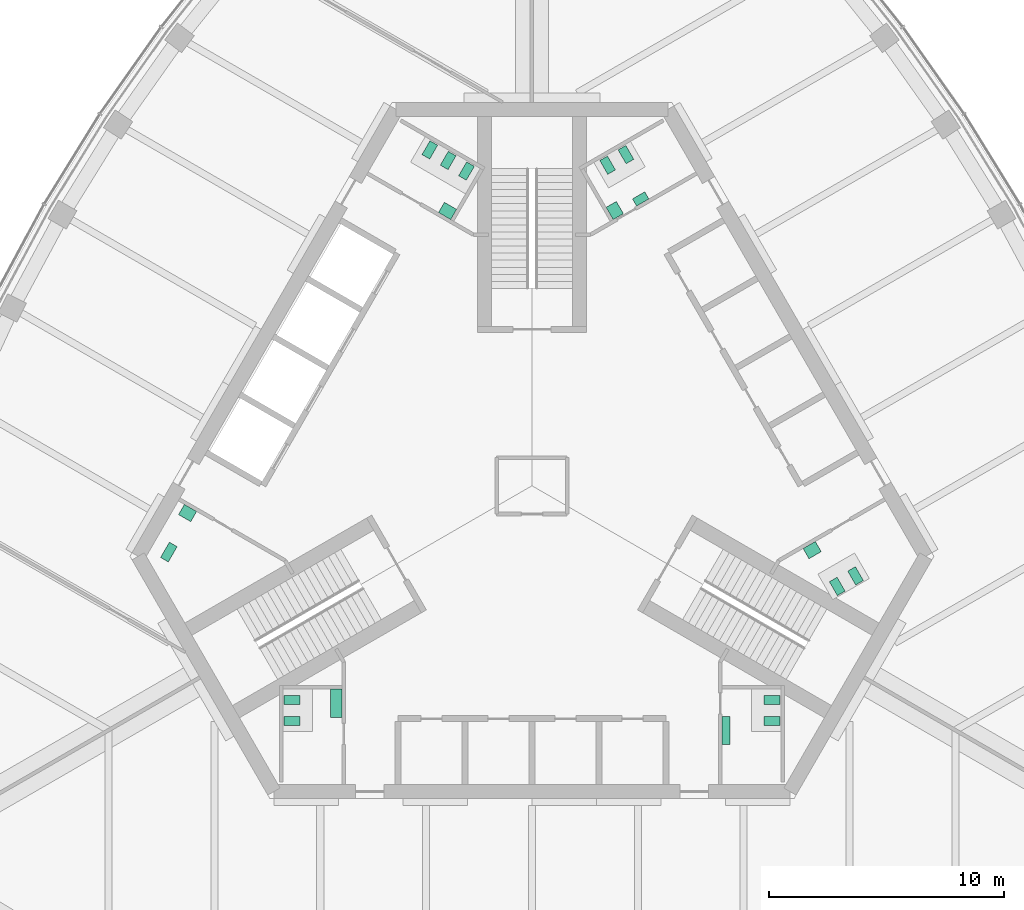
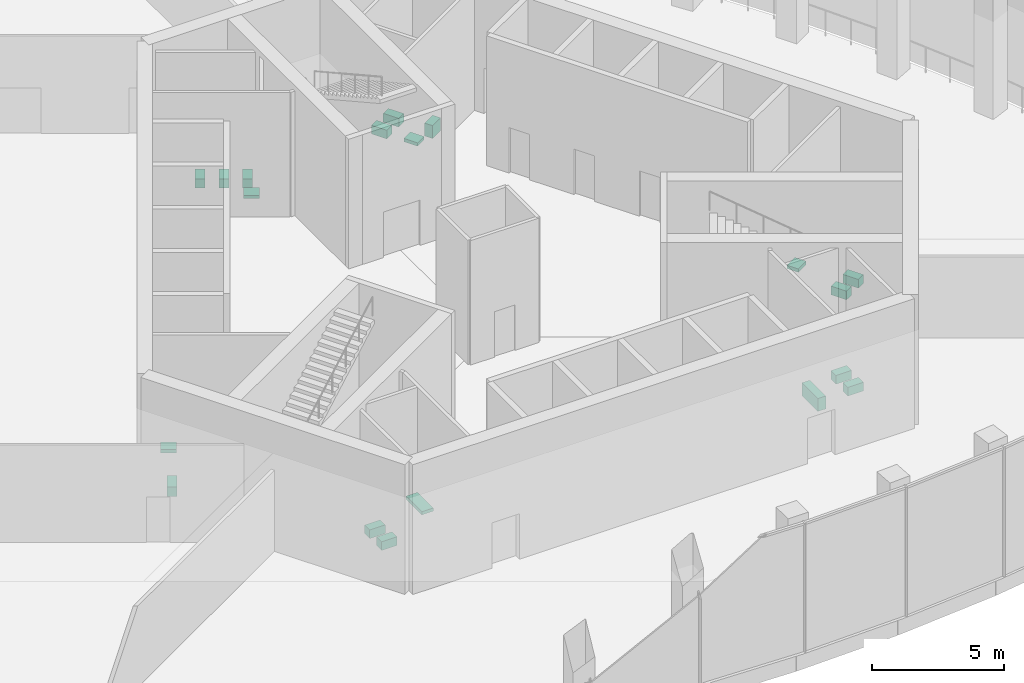
# One storey, part 14 of 15: 19 sanitary terminals.
"""IFC4 building model written with IfcOpenShell, lengths in metres."""

from ifc_helpers import new_model, si_unit, direction, frame, origin, place, context, subcontext, project, spatial, polyline, outline, extrude, material, type_object, element, save


model = new_model("IFC4")

# Units and contexts
model_context = context("Model", 3, precision=1e-05, world=origin(), true_north=direction((0.0, 1.0)))
body_context = subcontext(model_context, "Body", "Model", "MODEL_VIEW")
ifc_project = project(units=[si_unit("LENGTHUNIT", "METRE"), si_unit("AREAUNIT", "SQUARE_METRE"), si_unit("VOLUMEUNIT", "CUBIC_METRE"), si_unit("PLANEANGLEUNIT", "RADIAN"), si_unit("MASSUNIT", "GRAM", prefix="KILO")], contexts=[model_context])

# Site, building, storey
site_placement = place(None, origin())
site = spatial("IfcSite", under=ifc_project, at=site_placement, CompositionType="ELEMENT")
building_placement = place(site_placement, origin())
building = spatial("IfcBuilding", under=site, at=building_placement, Name="Trefoil Bronze Tower", CompositionType="ELEMENT")
storey_placement = place(building_placement, frame((0.0, 0.0, 322.5)))
storey = spatial("IfcBuildingStorey", under=building, at=storey_placement, Name="L74", CompositionType="ELEMENT", Elevation=322.5)

# Sanitary terminals
ifc_material_1 = material(Name="Vitreous china", Category="ceramic")
sanitary_terminal_type_1 = type_object("IfcSanitaryTerminalType", Name="Accessible WC pan", PredefinedType="TOILETPAN", material=ifc_material_1)
sanitary_terminal_1_placement = place(storey_placement, origin())
element("IfcSanitaryTerminal", 1, at=sanitary_terminal_1_placement, inside=storey, type_object=sanitary_terminal_type_1, Name="WC pan 1 Accessible WC L74", PredefinedType="TOILETPAN", context=body_context, shape_type="SweptSolid", body=[
    extrude(outline(polyline([(-15.085693359375, -2.589111328125), (-15.460693359375, -3.238525390625), (-15.789794921875, -3.048583984375), (-15.414794921875, -2.399169921875), (-15.085693359375, -2.589111328125)])), origin(), (0.0, 0.0, 1.0), 0.449951171875),
])
ifc_material_2 = material(Name="Vitreous china", Category="ceramic")
sanitary_terminal_type_2 = type_object("IfcSanitaryTerminalType", Name="Accessible basin", PredefinedType="WASHHANDBASIN", material=ifc_material_2)
sanitary_terminal_2_placement = place(storey_placement, frame((0.0, 0.0, 0.64990234375)))
element("IfcSanitaryTerminal", 2, at=sanitary_terminal_2_placement, inside=storey, type_object=sanitary_terminal_type_2, Name="Wash basin Accessible WC L74", PredefinedType="WASHHANDBASIN", context=body_context, shape_type="SweptSolid", body=[
    extrude(outline(polyline([(-14.256591796875, -1.09326171875), (-14.506591796875, -1.526123046875), (-15.026123046875, -1.22607421875), (-14.776123046875, -0.793212890625), (-14.256591796875, -1.09326171875)])), origin(), (0.0, 0.0, 1.0), 0.150146484375),
])
ifc_material_3 = material(Name="Vitreous china", Category="ceramic")
sanitary_terminal_type_3 = type_object("IfcSanitaryTerminalType", Name="Urinal range 1 urinals", PredefinedType="URINAL", material=ifc_material_3)
sanitary_terminal_3_placement = place(storey_placement, frame((0.0, 0.0, 0.39990234375)))
element("IfcSanitaryTerminal", 3, at=sanitary_terminal_3_placement, inside=storey, type_object=sanitary_terminal_type_3, Name="Urinal range WC (men) L74", PredefinedType="URINAL", context=body_context, shape_type="SweptSolid", body=[
    extrude(outline(polyline([(4.449462890625, 11.89306640625), (4.274658203125, 12.1962890625), (4.794189453125, 12.496337890625), (4.96923828125, 12.193115234375), (4.449462890625, 11.89306640625)])), origin(), (0.0, 0.0, 1.0), 0.60009765625),
])
ifc_material_4 = material(Name="Vitreous china", Category="ceramic")
sanitary_terminal_type_4 = type_object("IfcSanitaryTerminalType", Name="Urinal range 2 urinals", PredefinedType="URINAL", material=ifc_material_4)
sanitary_terminal_4_placement = place(storey_placement, frame((0.0, 0.0, 0.39990234375)))
element("IfcSanitaryTerminal", 4, at=sanitary_terminal_4_placement, inside=storey, type_object=sanitary_terminal_type_4, Name="Urinal range WC (men) L74", PredefinedType="URINAL", context=body_context, shape_type="SweptSolid", body=[
    extrude(outline(polyline([(8.074951171875, -9.800048828125), (8.425048828125, -9.800048828125), (8.425048828125, -11.0), (8.074951171875, -11.0), (8.074951171875, -9.800048828125)])), origin(), (0.0, 0.0, 1.0), 0.60009765625),
])
ifc_material_5 = material(Name="Solid surface vanity", Category="plastic")
sanitary_terminal_type_5 = type_object("IfcSanitaryTerminalType", Name="Vanity unit 1 basins", PredefinedType="WASHHANDBASIN", material=ifc_material_5)
sanitary_terminal_5_placement = place(storey_placement, frame((0.0, 0.0, 0.75)))
element("IfcSanitaryTerminal", 5, at=sanitary_terminal_5_placement, inside=storey, type_object=sanitary_terminal_type_5, Name="Vanity unit WC (women) L74", PredefinedType="WASHHANDBASIN", context=body_context, shape_type="SweptSolid", body=[
    extrude(outline(polyline([(11.528564453125, -2.668212890625), (11.778564453125, -3.10107421875), (12.29833984375, -2.80126953125), (12.04833984375, -2.3681640625), (11.528564453125, -2.668212890625)])), origin(), (0.0, 0.0, 1.0), 0.14990234375),
])
sanitary_terminal_6_placement = place(storey_placement, frame((0.0, 0.0, 0.75)))
element("IfcSanitaryTerminal", 6, at=sanitary_terminal_6_placement, inside=storey, type_object=sanitary_terminal_type_5, Name="Vanity unit WC (men) L74", PredefinedType="WASHHANDBASIN", context=body_context, shape_type="SweptSolid", body=[
    extrude(outline(polyline([(3.45361328125, 11.318115234375), (3.153564453125, 11.837890625), (3.586669921875, 12.087890625), (3.88671875, 11.568115234375), (3.45361328125, 11.318115234375)])), origin(), (0.0, 0.0, 1.0), 0.14990234375),
])
sanitary_terminal_7_placement = place(storey_placement, frame((0.0, 0.0, 0.75)))
element("IfcSanitaryTerminal", 7, at=sanitary_terminal_7_placement, inside=storey, type_object=sanitary_terminal_type_5, Name="Vanity unit WC (women) L74", PredefinedType="WASHHANDBASIN", context=body_context, shape_type="SweptSolid", body=[
    extrude(outline(polyline([(-3.45361328125, 11.318115234375), (-3.20361328125, 11.751220703125), (-3.72314453125, 12.05126953125), (-3.97314453125, 11.6181640625), (-3.45361328125, 11.318115234375)])), origin(), (0.0, 0.0, 1.0), 0.14990234375),
])
ifc_material_6 = material(Name="Solid surface vanity", Category="plastic")
sanitary_terminal_type_6 = type_object("IfcSanitaryTerminalType", Name="Vanity unit 2 basins", PredefinedType="WASHHANDBASIN", material=ifc_material_6)
sanitary_terminal_8_placement = place(storey_placement, frame((0.0, 0.0, 0.75)))
element("IfcSanitaryTerminal", 8, at=sanitary_terminal_8_placement, inside=storey, type_object=sanitary_terminal_type_6, Name="Vanity unit WC (women) L74", PredefinedType="WASHHANDBASIN", context=body_context, shape_type="SweptSolid", body=[
    extrude(outline(polyline([(-8.074951171875, -8.64990234375), (-8.574951171875, -8.64990234375), (-8.574951171875, -9.85009765625), (-8.074951171875, -9.85009765625), (-8.074951171875, -8.64990234375)])), origin(), (0.0, 0.0, 1.0), 0.14990234375),
])
ifc_material_7 = material(Name="Vitreous china", Category="ceramic")
sanitary_terminal_type_7 = type_object("IfcSanitaryTerminalType", Name="WC pan", PredefinedType="TOILETPAN", material=ifc_material_7)
sanitary_terminal_9_placement = place(storey_placement, origin())
element("IfcSanitaryTerminal", 9, at=sanitary_terminal_9_placement, inside=storey, type_object=sanitary_terminal_type_7, Name="WC pan 1 WC (men) L74", PredefinedType="TOILETPAN", context=body_context, shape_type="SweptSolid", body=[
    extrude(outline(polyline([(9.85498046875, -8.909912109375), (10.534912109375, -8.909912109375), (10.534912109375, -9.2900390625), (9.85498046875, -9.2900390625), (9.85498046875, -8.909912109375)])), origin(), (0.0, 0.0, 1.0), 0.39990234375),
])
sanitary_terminal_10_placement = place(storey_placement, origin())
element("IfcSanitaryTerminal", 10, at=sanitary_terminal_10_placement, inside=storey, type_object=sanitary_terminal_type_7, Name="WC pan 2 WC (men) L74", PredefinedType="TOILETPAN", context=body_context, shape_type="SweptSolid", body=[
    extrude(outline(polyline([(9.85498046875, -9.81005859375), (10.534912109375, -9.81005859375), (10.534912109375, -10.18994140625), (9.85498046875, -10.18994140625), (9.85498046875, -9.81005859375)])), origin(), (0.0, 0.0, 1.0), 0.39990234375),
])
sanitary_terminal_11_placement = place(storey_placement, origin())
element("IfcSanitaryTerminal", 11, at=sanitary_terminal_11_placement, inside=storey, type_object=sanitary_terminal_type_7, Name="WC pan 1 WC (women) L74", PredefinedType="TOILETPAN", context=body_context, shape_type="SweptSolid", body=[
    extrude(outline(polyline([(12.643798828125, -4.07958984375), (12.98388671875, -4.66845703125), (13.31298828125, -4.478515625), (12.972900390625, -3.8896484375), (12.643798828125, -4.07958984375)])), origin(), (0.0, 0.0, 1.0), 0.39990234375),
])
sanitary_terminal_12_placement = place(storey_placement, origin())
element("IfcSanitaryTerminal", 12, at=sanitary_terminal_12_placement, inside=storey, type_object=sanitary_terminal_type_7, Name="WC pan 2 WC (women) L74", PredefinedType="TOILETPAN", context=body_context, shape_type="SweptSolid", body=[
    extrude(outline(polyline([(13.423095703125, -3.629638671875), (13.76318359375, -4.218505859375), (14.09228515625, -4.028564453125), (13.752197265625, -3.439697265625), (13.423095703125, -3.629638671875)])), origin(), (0.0, 0.0, 1.0), 0.39990234375),
])
sanitary_terminal_13_placement = place(storey_placement, origin())
element("IfcSanitaryTerminal", 13, at=sanitary_terminal_13_placement, inside=storey, type_object=sanitary_terminal_type_7, Name="WC pan 1 WC (men) L74", PredefinedType="TOILETPAN", context=body_context, shape_type="SweptSolid", body=[
    extrude(outline(polyline([(3.2216796875, 13.23974609375), (2.8818359375, 13.82861328125), (3.2109375, 14.0185546875), (3.55078125, 13.4296875), (3.2216796875, 13.23974609375)])), origin(), (0.0, 0.0, 1.0), 0.39990234375),
])
sanitary_terminal_14_placement = place(storey_placement, origin())
element("IfcSanitaryTerminal", 14, at=sanitary_terminal_14_placement, inside=storey, type_object=sanitary_terminal_type_7, Name="WC pan 2 WC (men) L74", PredefinedType="TOILETPAN", context=body_context, shape_type="SweptSolid", body=[
    extrude(outline(polyline([(4.001220703125, 13.689697265625), (3.6611328125, 14.278564453125), (3.990234375, 14.468505859375), (4.330322265625, 13.879638671875), (4.001220703125, 13.689697265625)])), origin(), (0.0, 0.0, 1.0), 0.39990234375),
])
sanitary_terminal_15_placement = place(storey_placement, origin())
element("IfcSanitaryTerminal", 15, at=sanitary_terminal_15_placement, inside=storey, type_object=sanitary_terminal_type_7, Name="WC pan 1 WC (women) L74", PredefinedType="TOILETPAN", context=body_context, shape_type="SweptSolid", body=[
    extrude(outline(polyline([(-2.788818359375, 12.98974609375), (-2.44873046875, 13.57861328125), (-2.77783203125, 13.7685546875), (-3.117919921875, 13.1796875), (-2.788818359375, 12.98974609375)])), origin(), (0.0, 0.0, 1.0), 0.39990234375),
])
sanitary_terminal_16_placement = place(storey_placement, origin())
element("IfcSanitaryTerminal", 16, at=sanitary_terminal_16_placement, inside=storey, type_object=sanitary_terminal_type_7, Name="WC pan 2 WC (women) L74", PredefinedType="TOILETPAN", context=body_context, shape_type="SweptSolid", body=[
    extrude(outline(polyline([(-3.568115234375, 13.439697265625), (-3.228271484375, 14.028564453125), (-3.557373046875, 14.218505859375), (-3.897216796875, 13.629638671875), (-3.568115234375, 13.439697265625)])), origin(), (0.0, 0.0, 1.0), 0.39990234375),
])
sanitary_terminal_17_placement = place(storey_placement, origin())
element("IfcSanitaryTerminal", 17, at=sanitary_terminal_17_placement, inside=storey, type_object=sanitary_terminal_type_7, Name="WC pan 3 WC (women) L74", PredefinedType="TOILETPAN", context=body_context, shape_type="SweptSolid", body=[
    extrude(outline(polyline([(-4.34765625, 13.8896484375), (-4.007568359375, 14.478515625), (-4.336669921875, 14.66845703125), (-4.6767578125, 14.07958984375), (-4.34765625, 13.8896484375)])), origin(), (0.0, 0.0, 1.0), 0.39990234375),
])
sanitary_terminal_18_placement = place(storey_placement, origin())
element("IfcSanitaryTerminal", 18, at=sanitary_terminal_18_placement, inside=storey, type_object=sanitary_terminal_type_7, Name="WC pan 1 WC (women) L74", PredefinedType="TOILETPAN", context=body_context, shape_type="SweptSolid", body=[
    extrude(outline(polyline([(-9.85498046875, -8.909912109375), (-10.534912109375, -8.909912109375), (-10.534912109375, -9.2900390625), (-9.85498046875, -9.2900390625), (-9.85498046875, -8.909912109375)])), origin(), (0.0, 0.0, 1.0), 0.39990234375),
])
sanitary_terminal_19_placement = place(storey_placement, origin())
element("IfcSanitaryTerminal", 19, at=sanitary_terminal_19_placement, inside=storey, type_object=sanitary_terminal_type_7, Name="WC pan 2 WC (women) L74", PredefinedType="TOILETPAN", context=body_context, shape_type="SweptSolid", body=[
    extrude(outline(polyline([(-9.85498046875, -9.81005859375), (-10.534912109375, -9.81005859375), (-10.534912109375, -10.18994140625), (-9.85498046875, -10.18994140625), (-9.85498046875, -9.81005859375)])), origin(), (0.0, 0.0, 1.0), 0.39990234375),
])

save(model, "model.ifc")
